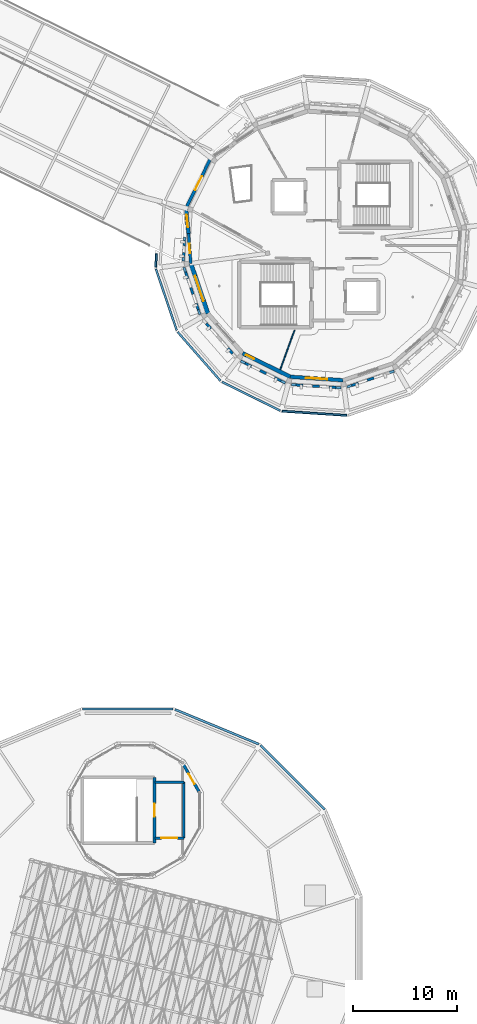
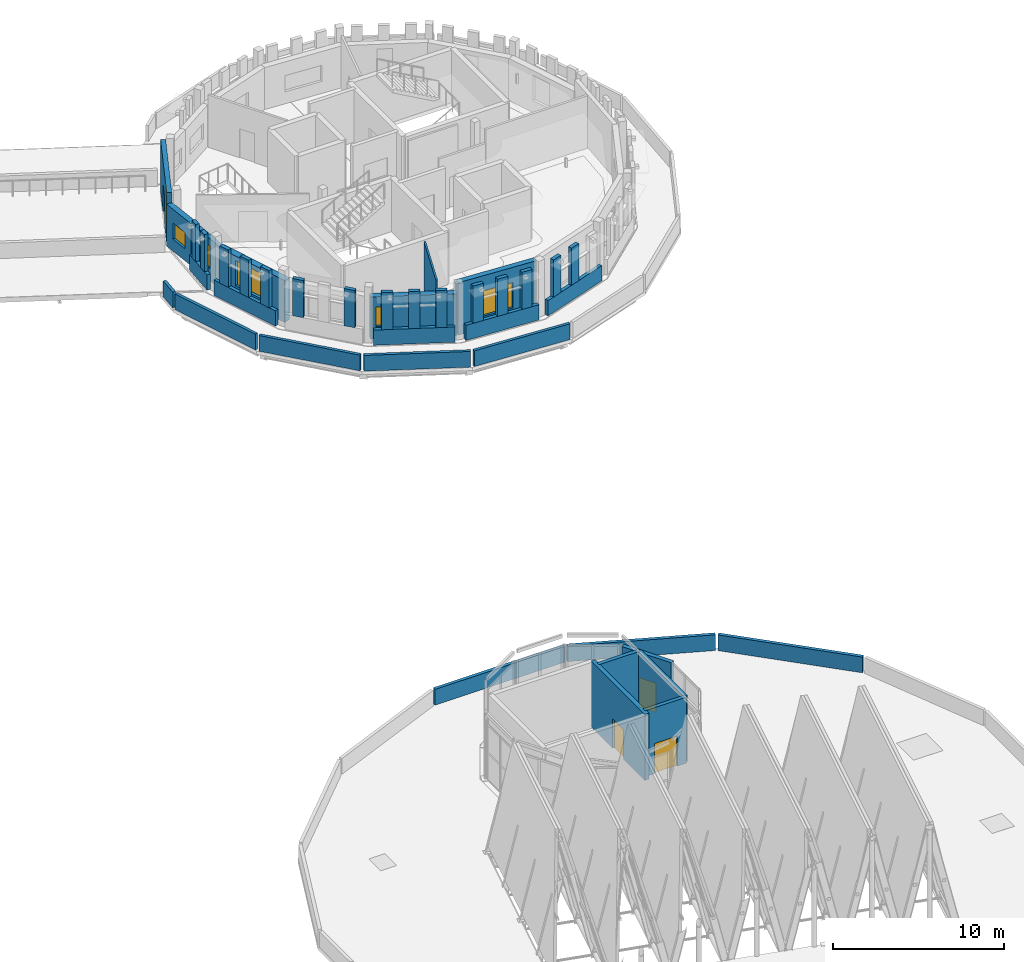
# One storey, part 42 of 51: 40 walls, 5 windows, 4 doors, 9 openings.
"""IFC4 building model written with IfcOpenShell, lengths in metres."""

import ifcopenshell
import ifcopenshell.guid

model = None  # the IFC model being written
_history = None  # IfcOwnerHistory: only IFC2X3 demands one
_inside = {}  # id of a spatial element -> (the spatial element, [elements in it])
_under = {}  # id of a project, library or spatial element -> (it, [spatial elements below it])
_declared = {}  # id of a project -> (the project, [libraries it declares])
_typed = {}  # id of a type object -> (the type object, [elements of that type])
_made_of = {}  # id of a material, layer set ... -> (it, [elements and type objects made of it])


def new_model(schema):
    """Start an empty IFC model of exactly this schema.

    Asked for "IFC4X3", IfcOpenShell would pick the latest addendum, in which some entities
    have other attributes; the version numbers below select the first issue.
    IFC2X3 requires an IfcOwnerHistory on every rooted entity: one is made here for all.
    """
    global model, _history
    if schema == "IFC4X3":
        model = ifcopenshell.file(schema_version=(4, 3, 0, 0))
    else:
        model = ifcopenshell.file(schema=schema)
    _inside.clear()
    _under.clear()
    _declared.clear()
    _typed.clear()
    _made_of.clear()
    _history = None
    if model.schema == "IFC2X3":
        org = make("IfcOrganization", Name="unknown")
        user = make(
            "IfcPersonAndOrganization",
            ThePerson=make("IfcPerson", FamilyName="unknown"),
            TheOrganization=org,
        )
        app = make(
            "IfcApplication",
            ApplicationDeveloper=org,
            Version="unknown",
            ApplicationFullName="unknown",
            ApplicationIdentifier="unknown",
        )
        _history = make(
            "IfcOwnerHistory",
            OwningUser=user,
            OwningApplication=app,
            ChangeAction="ADDED",
            CreationDate=0,
        )
    return model


def make(cls, **values):
    """One entity of the class cls with the attributes given. An attribute that is None is left unset."""
    return model.create_entity(
        cls, **{name: value for name, value in values.items() if value is not None}
    )


def rooted(cls, **values):
    """An entity with a GlobalId (a new one), such as an element, a storey or a relation."""
    return make(cls, GlobalId=ifcopenshell.guid.new(), OwnerHistory=_history, **values)


def si_unit(unit_type, name, prefix=None):
    """IfcSIUnit, for example si_unit("LENGTHUNIT", "METRE", prefix="MILLI")."""
    return make("IfcSIUnit", UnitType=unit_type, Prefix=prefix, Name=name)


def assignment(units):
    """IfcUnitAssignment: the units of a project."""
    return None if units is None else make("IfcUnitAssignment", Units=units)


def point(xyz):
    """IfcCartesianPoint."""
    return None if xyz is None else make("IfcCartesianPoint", Coordinates=xyz)


def direction(xyz):
    """IfcDirection."""
    return None if xyz is None else make("IfcDirection", DirectionRatios=xyz)


def frame(location, z_axis=None, x_axis=None):
    """IfcAxis2Placement3D, a coordinate frame: its origin and axes. An axis left out is left unset."""
    return make(
        "IfcAxis2Placement3D",
        Location=point(location),
        Axis=direction(z_axis),
        RefDirection=direction(x_axis),
    )


def frame_2d(location, x_axis=None):
    """IfcAxis2Placement2D, a coordinate frame in the plane: its origin and x axis."""
    return make(
        "IfcAxis2Placement2D", Location=point(location), RefDirection=direction(x_axis)
    )


def origin():
    """The frame at (0, 0, 0) with its axes left unset."""
    return frame((0.0, 0.0, 0.0))


def place(relative_to, where):
    """IfcLocalPlacement: puts the frame where relative to a parent placement (None: the world)."""
    return make(
        "IfcLocalPlacement", PlacementRelTo=relative_to, RelativePlacement=where
    )


def context(
    kind, dimensions, precision=None, world=None, true_north=None, identifier=None
):
    """IfcGeometricRepresentationContext, for example the 3D "Model" context."""
    return make(
        "IfcGeometricRepresentationContext",
        ContextIdentifier=identifier,
        ContextType=kind,
        CoordinateSpaceDimension=dimensions,
        Precision=precision,
        WorldCoordinateSystem=world,
        TrueNorth=true_north,
    )


def subcontext(parent, identifier, kind, view, scale=None):
    """IfcGeometricRepresentationSubContext, for example "Body" below "Model"."""
    return make(
        "IfcGeometricRepresentationSubContext",
        ContextIdentifier=identifier,
        ContextType=kind,
        ParentContext=parent,
        TargetScale=scale,
        TargetView=view,
    )


def project(units=None, contexts=None):
    """IfcProject with its units and contexts."""
    return rooted(
        "IfcProject",
        Name="project",
        RepresentationContexts=contexts,
        UnitsInContext=assignment(units),
    )


def spatial(cls, under=None, at=None, **own):
    """A site, building, storey or space (cls), placed at a placement, below another one or the project."""
    s = rooted(cls, ObjectPlacement=at, **own)
    if under is not None:
        _under.setdefault(under.id(), (under, []))[1].append(s)
    return s


def profile(cls, at=None, kind="AREA", **sizes):
    """A parametric profile (cls). Its sizes go by their IFC names, for example OverallWidth=200.0."""
    return make(cls, ProfileType=kind, Position=at, **sizes)


def rectangle(**sizes):
    """IfcRectangleProfileDef."""
    return profile("IfcRectangleProfileDef", **sizes)


def extrude(swept, where, along, depth):
    """IfcExtrudedAreaSolid: the profile swept, set in the frame where, extruded along a direction by depth."""
    return make(
        "IfcExtrudedAreaSolid",
        SweptArea=swept,
        Position=where,
        ExtrudedDirection=direction(along),
        Depth=depth,
    )


def shape(context_of_items, identifier, shape_type, items):
    """IfcShapeRepresentation: the items that make up one representation, for example the "Body"."""
    return make(
        "IfcShapeRepresentation",
        ContextOfItems=context_of_items,
        RepresentationIdentifier=identifier,
        RepresentationType=shape_type,
        Items=items,
    )


def material(Name=None, Category=None):
    """IfcMaterial."""
    return make("IfcMaterial", Name=Name, Category=Category)


def layer(
    of_material, thickness, ventilated=None, Name=None, Category=None, Priority=None
):
    """IfcMaterialLayer: one layer of a wall or slab, of a material (None: an air gap)."""
    return make(
        "IfcMaterialLayer",
        Material=of_material,
        LayerThickness=thickness,
        IsVentilated=ventilated,
        Name=Name,
        Category=Category,
        Priority=Priority,
    )


def layer_set(layers, Name=None):
    """IfcMaterialLayerSet."""
    return make("IfcMaterialLayerSet", MaterialLayers=layers, LayerSetName=Name)


def made_of(thing, what):
    """Note that an element or type object is made of a material, layer set ...; save() writes the relation."""
    if what is not None:
        _made_of.setdefault(what.id(), (what, []))[1].append(thing)
    return thing


def type_object(cls, material=None, **own):
    """A type object (cls), such as IfcWallType, which elements share."""
    return made_of(rooted(cls, **own), material)


def element(
    cls,
    number,
    at=None,
    inside=None,
    cuts=None,
    type_object=None,
    material=None,
    context=None,
    identifier="Body",
    shape_type=None,
    held_by="IfcProductDefinitionShape",
    body=None,
    shapes=None,
    **own,
):
    """One element of the class cls, such as IfcWall. Its Tag is "e" and its number.

    at: its placement. inside: the storey or other place that contains it. cuts: it is an
    opening in that element (IfcRelVoidsElement). A single representation is given by context,
    identifier, shape_type and body (its items); several are given by shapes. held_by: the class
    of the entity that holds the representations. save() writes the other relations.
    """
    e = rooted(cls, Tag="e%d" % number, ObjectPlacement=at, **own)
    if body is not None:
        shapes = [shape(context, identifier, shape_type, body)]
    if shapes is not None:
        e.Representation = make(held_by, Representations=shapes)
    if inside is not None:
        _inside.setdefault(inside.id(), (inside, []))[1].append(e)
    if cuts is not None:
        rooted(
            "IfcRelVoidsElement", RelatingBuildingElement=cuts, RelatedOpeningElement=e
        )
    if type_object is not None:
        _typed.setdefault(type_object.id(), (type_object, []))[1].append(e)
    return made_of(e, material)


def fill(opening, filler):
    """IfcRelFillsElement: the door or window that sits in an opening."""
    return rooted(
        "IfcRelFillsElement",
        RelatingOpeningElement=opening,
        RelatedBuildingElement=filler,
    )


def aggregate(whole, parts):
    """IfcRelAggregates: a whole, such as a stair, and the parts it consists of."""
    return rooted("IfcRelAggregates", RelatingObject=whole, RelatedObjects=parts)


def save(model, path):
    """Write the relations noted so far, then the file.

    IfcRelAggregates (storeys below a building ...), IfcRelContainedInSpatialStructure (elements
    in a storey), IfcRelDefinesByType, IfcRelAssociatesMaterial and IfcRelDeclares: one each for
    every whole, place, type object, material and project.
    """
    for whole, parts in _under.values():
        aggregate(whole, parts)
    for where, things in _inside.values():
        rooted(
            "IfcRelContainedInSpatialStructure",
            RelatedElements=things,
            RelatingStructure=where,
        )
    for kind, things in _typed.values():
        rooted("IfcRelDefinesByType", RelatedObjects=things, RelatingType=kind)
    for what, things in _made_of.values():
        rooted("IfcRelAssociatesMaterial", RelatedObjects=things, RelatingMaterial=what)
    for by, libraries in _declared.values():
        rooted("IfcRelDeclares", RelatingContext=by, RelatedDefinitions=libraries)
    model.write(path)


model = new_model("IFC4")

# Units and contexts
model_context = context("Model", 3, precision=1e-05, world=origin(), true_north=direction((0.0, 1.0)))
body_context = subcontext(model_context, "Body", "Model", "MODEL_VIEW")
ifc_project = project(units=[si_unit("LENGTHUNIT", "METRE"), si_unit("AREAUNIT", "SQUARE_METRE"), si_unit("VOLUMEUNIT", "CUBIC_METRE"), si_unit("PLANEANGLEUNIT", "RADIAN"), si_unit("MASSUNIT", "GRAM", prefix="KILO")], contexts=[model_context])

# Site, building, storey
site_placement = place(None, origin())
site = spatial("IfcSite", under=ifc_project, at=site_placement, CompositionType="ELEMENT")
building_placement = place(site_placement, origin())
building = spatial("IfcBuilding", under=site, at=building_placement, Name="Wrenclough Park School", CompositionType="ELEMENT")
storey_placement = place(building_placement, frame((0.0, 0.0, 16.800048828125)))
storey = spatial("IfcBuildingStorey", under=building, at=storey_placement, Name="L04", CompositionType="ELEMENT", Elevation=16.800048828125)

# Walls
ifc_material_1 = material(Name="Perforated open-bond Staffordshire and Manchester brick screen pier", Category="masonry")
ifc_layer_1 = layer(ifc_material_1, 0.2451171875)
ifc_layer_set_1 = layer_set([ifc_layer_1], Name="Perforated open-bond Staffordshire and Manchester brick screen pier")
wall_type_1 = type_object("IfcWallType", Name="ENV-BS-PR245", PredefinedType="ELEMENTEDWALL", material=ifc_layer_set_1)
for number, where, z_axis, x_axis, name in (
    (1, (160.950927734375, 93.973388671875, 1.08984375), (0.0, 0.0, 1.0), (-0.065581465319, -0.997847218469, 0.0), "D5 L04 perforated brick screen pier 0979"),
    (2, (160.87548828125, 92.823486328125, 1.08984375), (0.0, 0.0, 1.0), (-0.065079137346, -0.997880105966, 0.0), "D5 L04 perforated brick screen pier 0980"),
):
    element("IfcWall", number, at=place(storey_placement, frame(where, z_axis=z_axis, x_axis=x_axis)), inside=storey, type_object=wall_type_1, Name=name, PredefinedType="ELEMENTEDWALL", context=body_context, shape_type="SweptSolid", body=[
        extrude(rectangle(XDim=0.48388671875, YDim=0.2451171875, at=frame_2d((0.241943359375, 0.0))), origin(), (0.0, 0.0, 1.0), 2.650146484375),
    ])
for number, where, z_axis, x_axis, name in (
    (3, (161.05029296875, 90.964599609375, 1.08984375), (0.0, 0.0, 1.0), (0.321384268643, -0.946948864442, 0.0), "D5 L04 perforated brick screen pier 0981"),
    (4, (161.56103515625, 89.459716796875, 1.08984375), (0.0, 0.0, 1.0), (0.321384268643, -0.946948864442, 0.0), "D5 L04 perforated brick screen pier 0982"),
    (5, (162.07177734375, 87.954833984375, 1.08984375), (0.0, 0.0, 1.0), (0.321384268643, -0.946948864442, 0.0), "D5 L04 perforated brick screen pier 0983"),
):
    element("IfcWall", number, at=place(storey_placement, frame(where, z_axis=z_axis, x_axis=x_axis)), inside=storey, type_object=wall_type_1, Name=name, PredefinedType="ELEMENTEDWALL", context=body_context, shape_type="SweptSolid", body=[
        extrude(rectangle(XDim=0.6669921875, YDim=0.2451171875, at=frame_2d((0.33349609375, 0.0))), origin(), (0.0, 0.0, 1.0), 2.650146484375),
    ])
for number, where, z_axis, x_axis, name in (
    (6, (163.043701171875, 86.010986328125, 1.08984375), (0.0, 0.0, 1.0), (0.659358090425, -0.751829042131, 0.0), "D5 L04 perforated brick screen pier 0984"),
    (7, (165.1396484375, 83.621337890625, 1.08984375), (0.0, 0.0, 1.0), (0.659358090425, -0.751829042131, 0.0), "D5 L04 perforated brick screen pier 0986"),
    (8, (166.78173828125, 82.197021484375, 1.08984375), (0.0, 0.0, 1.0), (0.896898673202, -0.442236102109, 0.0), "D5 L04 perforated brick screen pier 0987"),
    (9, (168.20703125, 81.494140625, 1.08984375), (0.0, 0.0, 1.0), (0.896898673202, -0.442236102109, 0.0), "D5 L04 perforated brick screen pier 0988"),
    (10, (169.632568359375, 80.791015625, 1.08984375), (0.0, 0.0, 1.0), (0.896898673202, -0.442236102109, 0.0), "D5 L04 perforated brick screen pier 0989"),
):
    element("IfcWall", number, at=place(storey_placement, frame(where, z_axis=z_axis, x_axis=x_axis)), inside=storey, type_object=wall_type_1, Name=name, PredefinedType="ELEMENTEDWALL", context=body_context, shape_type="SweptSolid", body=[
        extrude(rectangle(XDim=0.66796875, YDim=0.2451171875, at=frame_2d((0.333984375, 0.0))), origin(), (0.0, 0.0, 1.0), 2.650146484375),
    ])
wall_1_placement = place(storey_placement, frame((171.694580078125, 80.103759765625, 1.08984375), z_axis=(0.0, 0.0, 1.0), x_axis=(0.997858904089, -0.065403421396, 0.0)))
element("IfcWall", 11, at=wall_1_placement, inside=storey, type_object=wall_type_1, Name="D5 L04 perforated brick screen pier 0990", PredefinedType="ELEMENTEDWALL", context=body_context, shape_type="SweptSolid", body=[
    extrude(rectangle(XDim=0.668212890625, YDim=0.2451171875, at=frame_2d((0.333984375, 0.0))), origin(), (0.0, 0.0, 1.0), 2.650146484375),
])
for number, where, z_axis, x_axis, name in (
    (12, (173.28076171875, 79.999755859375, 1.08984375), (0.0, 0.0, 1.0), (0.997881137909, -0.065063312289, 0.0), "D5 L04 perforated brick screen pier 0991"),
    (13, (174.86669921875, 79.89599609375, 1.08984375), (0.0, 0.0, 1.0), (0.997857340272, -0.065427276157, 0.0), "D5 L04 perforated brick screen pier 0992"),
):
    element("IfcWall", number, at=place(storey_placement, frame(where, z_axis=z_axis, x_axis=x_axis)), inside=storey, type_object=wall_type_1, Name=name, PredefinedType="ELEMENTEDWALL", context=body_context, shape_type="SweptSolid", body=[
        extrude(rectangle(XDim=0.66796875, YDim=0.2451171875, at=frame_2d((0.333984375, 0.0))), origin(), (0.0, 0.0, 1.0), 2.650146484375),
    ])
for number, where, z_axis, x_axis, name in (
    (14, (177.035400390625, 80.05029296875, 1.08984375), (0.0, 0.0, 1.0), (0.946948864442, 0.321384268643, 0.0), "D5 L04 perforated brick screen pier 0993"),
    (15, (178.540283203125, 80.56103515625, 1.08984375), (0.0, 0.0, 1.0), (0.946948864442, 0.321384268643, 0.0), "D5 L04 perforated brick screen pier 0994"),
):
    element("IfcWall", number, at=place(storey_placement, frame(where, z_axis=z_axis, x_axis=x_axis)), inside=storey, type_object=wall_type_1, Name=name, PredefinedType="ELEMENTEDWALL", context=body_context, shape_type="SweptSolid", body=[
        extrude(rectangle(XDim=0.6669921875, YDim=0.2451171875, at=frame_2d((0.33349609375, 0.0))), origin(), (0.0, 0.0, 1.0), 2.650146484375),
    ])
ifc_material_2 = material(Name="Open-bond Manchester multi-stock brick spandrel screen", Category="masonry")
ifc_layer_2 = layer(ifc_material_2, 0.22509765625)
ifc_layer_set_2 = layer_set([ifc_layer_2], Name="Open-bond Manchester multi-stock brick spandrel screen")
wall_type_2 = type_object("IfcWallType", Name="ENV-BS-SP225", PredefinedType="ELEMENTEDWALL", material=ifc_layer_set_2)
wall_2_placement = place(storey_placement, frame((160.972900390625, 94.306884765625, 0.0), z_axis=(0.0, 0.0, 1.0), x_axis=(-0.065464366553, -0.997854907645, 0.0)))
element("IfcWall", 16, at=wall_2_placement, inside=storey, type_object=wall_type_2, Name="D5 L04 open-bond brick screen spandrel 0272", PredefinedType="ELEMENTEDWALL", context=body_context, shape_type="SweptSolid", body=[
    extrude(rectangle(XDim=2.3046875, YDim=0.22509765625, at=frame_2d((1.15234375, 0.0))), origin(), (0.0, 0.0, 1.0), 1.08984375),
])
wall_3_placement = place(storey_placement, frame((160.902099609375, 91.4013671875, 0.0), z_axis=(0.0, 0.0, 1.0), x_axis=(0.321384907644, -0.946948647572, 0.0)))
element("IfcWall", 17, at=wall_3_placement, inside=storey, type_object=wall_type_2, Name="D5 L04 open-bond brick screen spandrel 0273", PredefinedType="ELEMENTEDWALL", context=body_context, shape_type="SweptSolid", body=[
    extrude(rectangle(XDim=4.767578125, YDim=0.22509765625, at=frame_2d((2.3837890625, 0.0))), origin(), (0.0, 0.0, 1.0), 1.08984375),
])
for number, where, z_axis, x_axis, name in (
    (18, (166.368408203125, 82.40087890625, 0.0), (0.0, 0.0, 1.0), (0.896871427047, -0.442291355722, 0.0), "D5 L04 open-bond brick screen spandrel 0275"),
    (19, (171.235107421875, 80.1337890625, 0.0), (0.0, 0.0, 1.0), (0.997859962399, -0.065387272782, 0.0), "D5 L04 open-bond brick screen spandrel 0276"),
):
    element("IfcWall", number, at=place(storey_placement, frame(where, z_axis=z_axis, x_axis=x_axis)), inside=storey, type_object=wall_type_2, Name=name, PredefinedType="ELEMENTEDWALL", context=body_context, shape_type="SweptSolid", body=[
        extrude(rectangle(XDim=4.76806640625, YDim=0.22509765625, at=frame_2d((2.384033203125, 0.0))), origin(), (0.0, 0.0, 1.0), 1.08984375),
    ])
wall_4_placement = place(storey_placement, frame((176.5986328125, 79.902099609375, 0.0), z_axis=(0.0, 0.0, 1.0), x_axis=(0.946948647572, 0.321384907644, 0.0)))
element("IfcWall", 20, at=wall_4_placement, inside=storey, type_object=wall_type_2, Name="D5 L04 open-bond brick screen spandrel 0277", PredefinedType="ELEMENTEDWALL", context=body_context, shape_type="SweptSolid", body=[
    extrude(rectangle(XDim=4.767578125, YDim=0.22509765625, at=frame_2d((2.3837890625, 0.0))), origin(), (0.0, 0.0, 1.0), 1.08984375),
])

# Wall, opening, window
ifc_material_3 = material(Name="Link wing brick-faced cavity wall Concrete C32/40", Category="masonry")
ifc_layer_3 = layer(ifc_material_3, 0.27490234375)
ifc_layer_set_3 = layer_set([ifc_layer_3], Name="Link wing brick-faced cavity wall Concrete C32/40")
wall_type_3 = type_object("IfcWallType", Name="ENV-EW-275", PredefinedType="SOLIDWALL", material=ifc_layer_set_3)
wall_5_placement = place(storey_placement, frame((161.55419921875, 91.795654296875, 0.0), z_axis=(0.0, 0.0, 1.0), x_axis=(-0.074436264821, 0.997225773072, 0.0)))
wall_5 = element("IfcWall", 21, at=wall_5_placement, inside=storey, type_object=wall_type_3, Name="L04 insulated brick external wall 0358", PredefinedType="SOLIDWALL", context=body_context, shape_type="SweptSolid", body=[
    extrude(rectangle(XDim=2.883056640625, YDim=0.27490234375, at=frame_2d((1.44140625, 0.0))), origin(), (0.0, 0.0, 1.0), 2.98193359375),
])
opening_1_placement = place(wall_5_placement, frame((0.991455078125, 0.0, 0.85009765625)))
opening_1 = element("IfcOpeningElement", 22, at=opening_1_placement, cuts=wall_5, Name="Opening WN-13", PredefinedType="OPENING", context=body_context, shape_type="SweptSolid", body=[
    extrude(rectangle(XDim=0.89990234375, YDim=1.60009765625, at=frame_2d((0.449951171875, 0.800048828125))), frame((0.0, 0.1474609375, 0.0), z_axis=(0.0, -1.0, 0.0), x_axis=(1.0, 0.0, 0.0)), (0.0, 0.0, 1.0), 0.294921875),
])
ifc_material_4 = material(Name="Thermally broken aluminium and double-glazed low-e glass", Category="aluminium")
window_type_1 = type_object("IfcWindowType", Name="ENV-WN-13", PartitioningType="SINGLE_PANEL", PredefinedType="WINDOW", material=ifc_material_4)
window_1_placement = place(opening_1_placement, origin())
window_1 = element("IfcWindow", 23, at=window_1_placement, inside=storey, type_object=window_type_1, Name="L04 scheduled facade window 0595", OverallHeight=1.60009765625, OverallWidth=0.89990234375, PartitioningType="SINGLE_PANEL", PredefinedType="WINDOW", context=body_context, shape_type="SweptSolid", body=[
    extrude(rectangle(XDim=0.89990234375, YDim=1.60009765625, at=frame_2d((0.449951171875, 0.800048828125))), frame((0.0, 0.030029296875, 0.0), z_axis=(0.0, -1.0, 0.0), x_axis=(1.0, 0.0, 0.0)), (0.0, 0.0, 1.0), 0.06005859375),
])
fill(opening_1, window_1)

# Wall, opening, door
wall_6_placement = place(storey_placement, frame((162.465087890625, 40.784912109375, 0.0), z_axis=(0.0, 0.0, 1.0), x_axis=(-0.499952654668, 0.866052736899, 0.0)))
wall_6 = element("IfcWall", 24, at=wall_6_placement, inside=storey, type_object=wall_type_3, Name="D1-SH L04 cylindrical stair-head portal wall", PredefinedType="SOLIDWALL", context=body_context, shape_type="SweptSolid", body=[
    extrude(rectangle(XDim=3.304931640625, YDim=0.27490234375, at=frame_2d((1.65234375, 0.0))), origin(), (0.0, 0.0, 1.0), 4.0),
])
opening_2_placement = place(wall_6_placement, frame((1.077392578125, 0.0, 0.0)))
opening_2 = element("IfcOpeningElement", 25, at=opening_2_placement, cuts=wall_6, Name="Opening RF-115", PredefinedType="OPENING", context=body_context, shape_type="SweptSolid", body=[
    extrude(rectangle(XDim=1.14990234375, YDim=2.10009765625, at=frame_2d((0.574951171875, 1.050048828125))), frame((0.0, 0.1474609375, 0.0), z_axis=(0.0, -1.0, 0.0), x_axis=(1.0, 0.0, 0.0)), (0.0, 0.0, 1.0), 0.294921875),
])
ifc_material_5 = material(Name="Thermally broken powder-coated aluminium and laminated safety glass", Category="aluminium")
door_type_1 = type_object("IfcDoorType", Name="DR-RF115", OperationType="NOTDEFINED", PredefinedType="DOOR", material=ifc_material_5)
door_1_placement = place(opening_2_placement, frame((1.14990234375, 0.0, 0.0), z_axis=(0.0, 0.0, 1.0), x_axis=(-1.0, 0.0, 0.0)))
door_1 = element("IfcDoor", 26, at=door_1_placement, inside=storey, type_object=door_type_1, Name="D1-SH roof maintenance access door", OperationType="SINGLE_SWING_LEFT", OverallHeight=2.10009765625, OverallWidth=1.14990234375, PredefinedType="DOOR", context=body_context, shape_type="SweptSolid", body=[
    extrude(rectangle(XDim=1.14990234375, YDim=2.10009765625, at=frame_2d((0.574951171875, 1.050048828125))), frame((0.0, 0.02490234375, 0.0), z_axis=(0.0, -1.0, 0.0), x_axis=(1.0, 0.0, 0.0)), (0.0, 0.0, 1.0), 0.050048828125),
])
fill(opening_2, door_1)

ifc_material_6 = material(Name="Manchester multi-stock brick and Concrete C32/40 inner leaf", Category="masonry")
ifc_layer_4 = layer(ifc_material_6, 0.300048828125)
ifc_layer_set_4 = layer_set([ifc_layer_4], Name="Manchester multi-stock brick and Concrete C32/40 inner leaf")
wall_type_4 = type_object("IfcWallType", Name="ENV-EW-300", PredefinedType="SOLIDWALL", material=ifc_layer_set_4)
wall_7_placement = place(storey_placement, frame((161.09521484375, 97.091796875, 0.0), z_axis=(0.0, 0.0, 1.0), x_axis=(0.442301426596, 0.896866460534, 0.0)))
wall_7 = element("IfcWall", 27, at=wall_7_placement, inside=storey, type_object=wall_type_4, Name="L04 insulated brick external wall 0360", PredefinedType="SOLIDWALL", context=body_context, shape_type="SweptSolid", body=[
    extrude(rectangle(XDim=5.414794921875, YDim=0.300048828125, at=frame_2d((2.70751953125, 0.0))), origin(), (0.0, 0.0, 1.0), 3.739990234375),
])
opening_3_placement = place(wall_7_placement, frame((1.967529296875, 0.0, 0.0)))
opening_3 = element("IfcOpeningElement", 28, at=opening_3_placement, cuts=wall_7, Name="Opening DPD-PD-4-1", PredefinedType="OPENING", context=body_context, shape_type="SweptSolid", body=[
    extrude(rectangle(XDim=1.47998046875, YDim=2.1201171875, at=frame_2d((0.739990234375, 1.06005859375))), frame((0.0, 0.159912109375, 0.0), z_axis=(0.0, -1.0, 0.0), x_axis=(1.0, 0.0, 0.0)), (0.0, 0.0, 1.0), 0.320068359375),
])
door_type_2 = type_object("IfcDoorType", Name="DR-PD148", OperationType="NOTDEFINED", PredefinedType="DOOR", material=ifc_material_5)
door_2_placement = place(opening_3_placement, origin())
door_2 = element("IfcDoor", 29, at=door_2_placement, inside=storey, type_object=door_type_2, Name="Play deck PD-4 access door 1", OperationType="DOUBLE_DOOR_SINGLE_SWING", OverallHeight=2.1201171875, OverallWidth=1.47998046875, PredefinedType="DOOR", context=body_context, shape_type="SweptSolid", body=[
    extrude(rectangle(XDim=1.47998046875, YDim=2.1201171875, at=frame_2d((0.739990234375, 1.06005859375))), frame((0.0, 0.02490234375, 0.0), z_axis=(0.0, -1.0, 0.0), x_axis=(1.0, 0.0, 0.0)), (0.0, 0.0, 1.0), 0.050048828125),
])
fill(opening_3, door_2)

# Wall, opening, window
ifc_material_7 = material(Name="Staffordshire blue-grey brick and Concrete C35/45 inner leaf", Category="masonry")
ifc_layer_5 = layer(ifc_material_7, 0.35009765625)
ifc_layer_set_5 = layer_set([ifc_layer_5], Name="Staffordshire blue-grey brick and Concrete C35/45 inner leaf")
wall_type_5 = type_object("IfcWallType", Name="ENV-EW-350", PredefinedType="SOLIDWALL", material=ifc_layer_set_5)
wall_8_placement = place(storey_placement, frame((176.204345703125, 80.55419921875, 0.0), z_axis=(0.0, 0.0, 1.0), x_axis=(-0.99786146052, 0.065364406289, 0.0)))
wall_8 = element("IfcWall", 30, at=wall_8_placement, inside=storey, type_object=wall_type_5, Name="L04 insulated brick external wall 0354", PredefinedType="SOLIDWALL", context=body_context, shape_type="SweptSolid", body=[
    extrude(rectangle(XDim=5.0947265625, YDim=0.35009765625, at=frame_2d((2.54736328125, 0.0))), origin(), (0.0, 0.0, 1.0), 3.739990234375),
])
opening_4_placement = place(wall_8_placement, frame((1.5224609375, 0.0, 0.85009765625)))
opening_4 = element("IfcOpeningElement", 31, at=opening_4_placement, cuts=wall_8, Name="Opening WN-32", PredefinedType="OPENING", context=body_context, shape_type="SweptSolid", body=[
    extrude(rectangle(XDim=2.050048828125, YDim=1.800048828125, at=frame_2d((1.02490234375, 0.89990234375))), frame((0.0, 0.18505859375, 0.0), z_axis=(0.0, -1.0, 0.0), x_axis=(1.0, 0.0, 0.0)), (0.0, 0.0, 1.0), 0.3701171875),
])
window_type_2 = type_object("IfcWindowType", Name="ENV-WN-32", PartitioningType="DOUBLE_PANEL_VERTICAL", PredefinedType="WINDOW", material=ifc_material_4)
window_2_placement = place(opening_4_placement, origin())
window_2 = element("IfcWindow", 32, at=window_2_placement, inside=storey, type_object=window_type_2, Name="L04 scheduled facade window 0591", OverallHeight=1.800048828125, OverallWidth=2.050048828125, PartitioningType="SINGLE_PANEL", PredefinedType="WINDOW", context=body_context, shape_type="SweptSolid", body=[
    extrude(rectangle(XDim=2.050048828125, YDim=1.800048828125, at=frame_2d((1.02490234375, 0.89990234375))), frame((0.0, 0.030029296875, 0.0), z_axis=(0.0, -1.0, 0.0), x_axis=(1.0, 0.0, 0.0)), (0.0, 0.0, 1.0), 0.06005859375),
])
fill(opening_4, window_2)

ifc_material_8 = material(Name="Faceted courtyard brick-cavity wall Concrete C35/45", Category="masonry")
ifc_layer_6 = layer(ifc_material_8, 0.364990234375)
ifc_layer_set_6 = layer_set([ifc_layer_6], Name="Faceted courtyard brick-cavity wall Concrete C35/45")
wall_type_6 = type_object("IfcWallType", Name="ENV-EW-365", PredefinedType="SOLIDWALL", material=ifc_layer_set_6)
wall_9_placement = place(storey_placement, frame((161.339599609375, 94.670654296875, 0.0), z_axis=(0.0, 0.0, 1.0), x_axis=(-0.10042748062, 0.994944380926, 0.0)))
wall_9 = element("IfcWall", 33, at=wall_9_placement, inside=storey, type_object=wall_type_6, Name="L04 insulated brick external wall 0359", PredefinedType="SOLIDWALL", context=body_context, shape_type="SweptSolid", body=[
    extrude(rectangle(XDim=2.433349609375, YDim=0.364990234375, at=frame_2d((1.216796875, 0.0))), origin(), (0.0, 0.0, 1.0), 2.98193359375),
])
opening_5_placement = place(wall_9_placement, frame((0.61669921875, 0.0, 0.85009765625)))
opening_5 = element("IfcOpeningElement", 34, at=opening_5_placement, cuts=wall_9, Name="Opening WN-37", PredefinedType="OPENING", context=body_context, shape_type="SweptSolid", body=[
    extrude(rectangle(XDim=1.199951171875, YDim=1.14990234375, at=frame_2d((0.60009765625, 0.574951171875))), frame((0.0, 0.1923828125, 0.0), z_axis=(0.0, -1.0, 0.0), x_axis=(1.0, 0.0, 0.0)), (0.0, 0.0, 1.0), 0.385009765625),
])
window_type_3 = type_object("IfcWindowType", Name="ENV-WN-37", PartitioningType="SINGLE_PANEL", PredefinedType="WINDOW", material=ifc_material_4)
window_3_placement = place(opening_5_placement, origin())
window_3 = element("IfcWindow", 35, at=window_3_placement, inside=storey, type_object=window_type_3, Name="L04 scheduled facade window 0596", OverallHeight=1.14990234375, OverallWidth=1.199951171875, PartitioningType="SINGLE_PANEL", PredefinedType="WINDOW", context=body_context, shape_type="SweptSolid", body=[
    extrude(rectangle(XDim=1.199951171875, YDim=1.14990234375, at=frame_2d((0.60009765625, 0.574951171875))), frame((0.0, 0.030029296875, 0.0), z_axis=(0.0, -1.0, 0.0), x_axis=(1.0, 0.0, 0.0)), (0.0, 0.0, 1.0), 0.06005859375),
])
fill(opening_5, window_3)

ifc_material_9 = material(Name="Manchester multi-stock brick and Concrete C35/45 inner leaf", Category="masonry")
ifc_layer_7 = layer(ifc_material_9, 0.3798828125)
ifc_layer_set_7 = layer_set([ifc_layer_7], Name="Manchester multi-stock brick and Concrete C35/45 inner leaf")
wall_type_7 = type_object("IfcWallType", Name="ENV-EW-380", PredefinedType="SOLIDWALL", material=ifc_layer_set_7)
wall_10_placement = place(storey_placement, frame((171.12060546875, 80.88720703125, 0.0), z_axis=(0.0, 0.0, 1.0), x_axis=(-0.896885971635, 0.442261861213, 0.0)))
wall_10 = element("IfcWall", 36, at=wall_10_placement, inside=storey, type_object=wall_type_7, Name="L04 insulated brick external wall 0355", PredefinedType="SOLIDWALL", context=body_context, shape_type="SweptSolid", body=[
    extrude(rectangle(XDim=5.09521484375, YDim=0.3798828125, at=frame_2d((2.547607421875, 0.0))), origin(), (0.0, 0.0, 1.0), 2.98193359375),
])
opening_6_placement = place(wall_10_placement, frame((3.89501953125, 0.0, 0.85009765625)))
opening_6 = element("IfcOpeningElement", 37, at=opening_6_placement, cuts=wall_10, Name="Opening WN-01", PredefinedType="OPENING", context=body_context, shape_type="SweptSolid", body=[
    extrude(rectangle(XDim=0.85009765625, YDim=1.39990234375, at=frame_2d((0.425048828125, 0.699951171875))), frame((0.0, 0.199951171875, 0.0), z_axis=(0.0, -1.0, 0.0), x_axis=(1.0, 0.0, 0.0)), (0.0, 0.0, 1.0), 0.39990234375),
])
window_type_4 = type_object("IfcWindowType", Name="ENV-WN-01", PartitioningType="SINGLE_PANEL", PredefinedType="WINDOW", material=ifc_material_4)
window_4_placement = place(opening_6_placement, origin())
window_4 = element("IfcWindow", 38, at=window_4_placement, inside=storey, type_object=window_type_4, Name="L04 scheduled facade window 0592", OverallHeight=1.39990234375, OverallWidth=0.85009765625, PartitioningType="SINGLE_PANEL", PredefinedType="WINDOW", context=body_context, shape_type="SweptSolid", body=[
    extrude(rectangle(XDim=0.85009765625, YDim=1.39990234375, at=frame_2d((0.425048828125, 0.699951171875))), frame((0.0, 0.030029296875, 0.0), z_axis=(0.0, -1.0, 0.0), x_axis=(1.0, 0.0, 0.0)), (0.0, 0.0, 1.0), 0.06005859375),
])
fill(opening_6, window_4)

ifc_material_10 = material(Name="Insulated brick-clad sports hall wall Concrete C40/50", Category="masonry")
ifc_layer_8 = layer(ifc_material_10, 0.425048828125)
ifc_layer_set_8 = layer_set([ifc_layer_8], Name="Insulated brick-clad sports hall wall Concrete C40/50")
wall_type_8 = type_object("IfcWallType", Name="ENV-EW-425", PredefinedType="SOLIDWALL", material=ifc_layer_set_8)
wall_11_placement = place(storey_placement, frame((163.191650390625, 86.97119140625, 0.0), z_axis=(0.0, 0.0, 1.0), x_axis=(-0.321398403796, 0.946944067006, 0.0)))
wall_11 = element("IfcWall", 39, at=wall_11_placement, inside=storey, type_object=wall_type_8, Name="L04 insulated brick external wall 0357", PredefinedType="SOLIDWALL", context=body_context, shape_type="SweptSolid", body=[
    extrude(rectangle(XDim=5.0947265625, YDim=0.425048828125, at=frame_2d((2.54736328125, 0.0))), origin(), (0.0, 0.0, 1.0), 2.98193359375),
])
opening_7_placement = place(wall_11_placement, frame((1.2724609375, 0.0, 0.85009765625)))
opening_7 = element("IfcOpeningElement", 40, at=opening_7_placement, cuts=wall_11, Name="Opening WN-35", PredefinedType="OPENING", context=body_context, shape_type="SweptSolid", body=[
    extrude(rectangle(XDim=2.550048828125, YDim=1.800048828125, at=frame_2d((1.27490234375, 0.89990234375))), frame((0.0, 0.222412109375, 0.0), z_axis=(0.0, -1.0, 0.0), x_axis=(1.0, 0.0, 0.0)), (0.0, 0.0, 1.0), 0.445068359375),
])
window_type_5 = type_object("IfcWindowType", Name="ENV-WN-35", PartitioningType="DOUBLE_PANEL_VERTICAL", PredefinedType="WINDOW", material=ifc_material_4)
window_5_placement = place(opening_7_placement, origin())
window_5 = element("IfcWindow", 41, at=window_5_placement, inside=storey, type_object=window_type_5, Name="L04 scheduled facade window 0594", OverallHeight=1.800048828125, OverallWidth=2.550048828125, PartitioningType="SINGLE_PANEL", PredefinedType="WINDOW", context=body_context, shape_type="SweptSolid", body=[
    extrude(rectangle(XDim=2.550048828125, YDim=1.800048828125, at=frame_2d((1.27490234375, 0.89990234375))), frame((0.0, 0.030029296875, 0.0), z_axis=(0.0, -1.0, 0.0), x_axis=(1.0, 0.0, 0.0)), (0.0, 0.0, 1.0), 0.06005859375),
])
fill(opening_7, window_5)

# Walls
ifc_material_11 = material(Name="Patinated copper-coped link roof parapet", Category="masonry")
ifc_layer_9 = layer(ifc_material_11, 0.18994140625)
ifc_layer_set_9 = layer_set([ifc_layer_9], Name="Patinated copper-coped link roof parapet")
wall_type_9 = type_object("IfcWallType", Name="ENV-PW-190", PredefinedType="PARAPET", material=ifc_layer_set_9)
wall_12_placement = place(storey_placement, frame((158.25732421875, 92.708984375, 0.0), z_axis=(0.0, 0.0, 1.0), x_axis=(-0.065329434433, -0.997863750718, 0.0)))
element("IfcWall", 42, at=wall_12_placement, inside=storey, type_object=wall_type_9, Name="D5-STEP-ROOF cylindrical drum parapet wall 055", PredefinedType="PARAPET", context=body_context, shape_type="SweptSolid", body=[
    extrude(rectangle(XDim=1.266845703125, YDim=0.18994140625, at=frame_2d((0.63330078125, 0.0))), origin(), (0.0, 0.0, 1.0), 1.119873046875),
])
for number, where, z_axis, x_axis, name in (
    (43, (158.198974609375, 91.259765625, 0.0), (0.0, 0.0, 1.0), (0.321448662143, -0.946927007539, 0.0), "D5-STEP-ROOF cylindrical drum parapet wall 056"),
    (44, (160.297119140625, 85.192138671875, 0.0), (0.0, 0.0, 1.0), (0.659343891738, -0.751841494218, 0.0), "D5-STEP-ROOF cylindrical drum parapet wall 057"),
    (45, (164.5576171875, 80.389404296875, 0.0), (0.0, 0.0, 1.0), (0.896871934116, -0.442290327495, 0.0), "D5-STEP-ROOF cylindrical drum parapet wall 058"),
    (46, (170.33154296875, 77.58251953125, 0.0), (0.0, 0.0, 1.0), (0.997858499027, -0.065409601125, 0.0), "D5-STEP-ROOF cylindrical drum parapet wall 059"),
):
    element("IfcWall", number, at=place(storey_placement, frame(where, z_axis=z_axis, x_axis=x_axis)), inside=storey, type_object=wall_type_9, Name=name, PredefinedType="PARAPET", context=body_context, shape_type="SweptSolid", body=[
        extrude(rectangle(XDim=6.237060546875, YDim=0.18994140625, at=frame_2d((3.11865234375, 0.0))), origin(), (0.0, 0.0, 1.0), 1.119873046875),
    ])
ifc_material_12 = material(Name="Capped Staffordshire blue-grey brick parapet", Category="masonry")
ifc_layer_10 = layer(ifc_material_12, 0.215087890625)
ifc_layer_set_10 = layer_set([ifc_layer_10], Name="Capped Staffordshire blue-grey brick parapet")
wall_type_10 = type_object("IfcWallType", Name="ENV-PW-215", PredefinedType="PARAPET", material=ifc_layer_set_10)
wall_13_placement = place(storey_placement, frame((174.441650390625, 39.265625, 0.0), z_axis=(0.0, 0.0, 1.0), x_axis=(-0.707106781187, 0.707106781187, 0.0)))
element("IfcWall", 47, at=wall_13_placement, inside=storey, type_object=wall_type_10, Name="D1-ROOF-RING cylindrical drum parapet wall 002", PredefinedType="PARAPET", context=body_context, shape_type="SweptSolid", body=[
    extrude(rectangle(XDim=8.734130859375, YDim=0.215087890625, at=frame_2d((4.3671875, 0.0))), origin(), (0.0, 0.0, 1.0), 1.119873046875),
])
wall_14_placement = place(storey_placement, frame((168.114501953125, 45.542724609375, 0.0), z_axis=(0.0, 0.0, 1.0), x_axis=(-0.923881236817, 0.382679317782, 0.0)))
element("IfcWall", 48, at=wall_14_placement, inside=storey, type_object=wall_type_10, Name="D1-ROOF-RING cylindrical drum parapet wall 003", PredefinedType="PARAPET", context=body_context, shape_type="SweptSolid", body=[
    extrude(rectangle(XDim=8.73388671875, YDim=0.215087890625, at=frame_2d((4.366943359375, 0.0))), origin(), (0.0, 0.0, 1.0), 1.119873046875),
])
wall_15_placement = place(storey_placement, frame((159.8671875, 48.920654296875, 0.0), z_axis=(0.0, 0.0, 1.0), x_axis=(-1.0, 0.0, 0.0)))
element("IfcWall", 49, at=wall_15_placement, inside=storey, type_object=wall_type_10, Name="D1-ROOF-RING cylindrical drum parapet wall 004", PredefinedType="PARAPET", context=body_context, shape_type="SweptSolid", body=[
    extrude(rectangle(XDim=8.734375, YDim=0.215087890625, at=frame_2d((4.3671875, 0.0))), origin(), (0.0, 0.0, 1.0), 1.119873046875),
])

# Wall, opening, door
ifc_material_13 = material(Name="Concrete C35/45", Category="concrete")
ifc_layer_11 = layer(ifc_material_13, 0.25)
ifc_layer_set_11 = layer_set([ifc_layer_11], Name="Concrete C35/45")
wall_type_11 = type_object("IfcWallType", Name="INT-CW-250", PredefinedType="SHEAR", material=ifc_layer_set_11)
wall_16_placement = place(storey_placement, frame((158.10009765625, 36.5, 0.0), z_axis=(0.0, 0.0, 1.0), x_axis=(1.0, 0.0, 0.0)))
wall_16 = element("IfcWall", 50, at=wall_16_placement, inside=storey, type_object=wall_type_11, Name="Core C1 L04 lobby fire wall south", PredefinedType="SHEAR", context=body_context, shape_type="SweptSolid", body=[
    extrude(rectangle(XDim=2.7998046875, YDim=0.25, at=frame_2d((1.39990234375, 0.0))), origin(), (0.0, 0.0, 1.0), 4.699951171875),
])
opening_8_placement = place(wall_16_placement, frame((0.625, 0.0, 0.0)))
opening_8 = element("IfcOpeningElement", 51, at=opening_8_placement, cuts=wall_16, Name="Opening DLB-C1-L04", PredefinedType="OPENING", context=body_context, shape_type="SweptSolid", body=[
    extrude(rectangle(XDim=1.550048828125, YDim=2.14990234375, at=frame_2d((0.77490234375, 1.074951171875))), frame((0.0, 0.135009765625, 0.0), z_axis=(0.0, -1.0, 0.0), x_axis=(1.0, 0.0, 0.0)), (0.0, 0.0, 1.0), 0.27001953125),
])
ifc_material_14 = material(Name="Protected stair lobby double fire door assembly", Category="wood")
door_type_3 = type_object("IfcDoorType", Name="INT-DR-LB155", OperationType="NOTDEFINED", PredefinedType="DOOR", material=ifc_material_14)
door_3_placement = place(opening_8_placement, origin())
door_3 = element("IfcDoor", 52, at=door_3_placement, inside=storey, type_object=door_type_3, Name="Core C1 L04 protected lobby fire door", OperationType="DOUBLE_DOOR_SINGLE_SWING", OverallHeight=2.14990234375, OverallWidth=1.550048828125, PredefinedType="DOOR", context=body_context, shape_type="SweptSolid", body=[
    extrude(rectangle(XDim=1.550048828125, YDim=2.14990234375, at=frame_2d((0.77490234375, 1.074951171875))), frame((0.0, 0.02490234375, 0.0), z_axis=(0.0, -1.0, 0.0), x_axis=(1.0, 0.0, 0.0)), (0.0, 0.0, 1.0), 0.050048828125),
])
fill(opening_8, door_3)

# Walls
wall_17_placement = place(storey_placement, frame((160.89990234375, 36.5, 0.0), z_axis=(0.0, 0.0, 1.0), x_axis=(0.0, 1.0, 0.0)))
element("IfcWall", 53, at=wall_17_placement, inside=storey, type_object=wall_type_11, Name="Core C1 L04 lobby fire wall east", PredefinedType="SHEAR", context=body_context, shape_type="SweptSolid", body=[
    extrude(rectangle(XDim=5.39990234375, YDim=0.25, at=frame_2d((2.699951171875, 0.0))), origin(), (0.0, 0.0, 1.0), 4.699951171875),
])
wall_18_placement = place(storey_placement, frame((160.89990234375, 41.89990234375, 0.0), z_axis=(0.0, 0.0, 1.0), x_axis=(-1.0, 0.0, 0.0)))
element("IfcWall", 54, at=wall_18_placement, inside=storey, type_object=wall_type_11, Name="Core C1 L04 lobby fire wall north", PredefinedType="SHEAR", context=body_context, shape_type="SweptSolid", body=[
    extrude(rectangle(XDim=2.7998046875, YDim=0.25, at=frame_2d((1.39990234375, 0.0))), origin(), (0.0, 0.0, 1.0), 4.699951171875),
])

# Wall, opening, door
ifc_material_15 = material(Name="Concrete C40/50", Category="concrete")
ifc_layer_12 = layer(ifc_material_15, 0.2900390625)
ifc_layer_set_12 = layer_set([ifc_layer_12], Name="Concrete C40/50")
wall_type_12 = type_object("IfcWallType", Name="INT-CW-290", PredefinedType="SHEAR", material=ifc_layer_set_12)
wall_19_placement = place(storey_placement, frame((158.044921875, 36.054931640625, 0.0), z_axis=(0.0, 0.0, 1.0), x_axis=(0.0, 1.0, 0.0)))
wall_19 = element("IfcWall", 55, at=wall_19_placement, inside=storey, type_object=wall_type_12, Name="Core C1 L04 east shear wall", PredefinedType="SHEAR", context=body_context, shape_type="SweptSolid", body=[
    extrude(rectangle(XDim=6.2900390625, YDim=0.2900390625, at=frame_2d((3.14501953125, 0.0))), origin(), (0.0, 0.0, 1.0), 4.699951171875),
])
opening_9_placement = place(wall_19_placement, frame((2.52001953125, 0.0, 0.0)))
opening_9 = element("IfcOpeningElement", 56, at=opening_9_placement, cuts=wall_19, Name="Opening DST-C1-L04", PredefinedType="OPENING", context=body_context, shape_type="SweptSolid", body=[
    extrude(rectangle(XDim=1.25, YDim=2.10009765625, at=frame_2d((0.625, 1.050048828125))), frame((0.0, 0.155029296875, 0.0), z_axis=(0.0, -1.0, 0.0), x_axis=(1.0, 0.0, 0.0)), (0.0, 0.0, 1.0), 0.31005859375),
])
ifc_material_16 = material(Name="Wide protected escape stair fire door assembly", Category="wood")
door_type_4 = type_object("IfcDoorType", Name="INT-DR-ST125", OperationType="NOTDEFINED", PredefinedType="DOOR", material=ifc_material_16)
door_4_placement = place(opening_9_placement, origin())
door_4 = element("IfcDoor", 57, at=door_4_placement, inside=storey, type_object=door_type_4, Name="Stair ST-01 L04 fire door", OperationType="SINGLE_SWING_LEFT", OverallHeight=2.10009765625, OverallWidth=1.25, PredefinedType="DOOR", context=body_context, shape_type="SweptSolid", body=[
    extrude(rectangle(XDim=1.25, YDim=2.10009765625, at=frame_2d((0.625, 1.050048828125))), frame((0.0, 0.02490234375, 0.0), z_axis=(0.0, -1.0, 0.0), x_axis=(1.0, 0.0, 0.0)), (0.0, 0.0, 1.0), 0.050048828125),
])
fill(opening_9, door_4)

# Wall
ifc_material_17 = material(Name="Lightweight fire-rated store partition", Category="gypsum")
ifc_layer_13 = layer(ifc_material_17, 0.110107421875)
ifc_layer_set_13 = layer_set([ifc_layer_13], Name="Lightweight fire-rated store partition")
wall_type_13 = type_object("IfcWallType", Name="INT-PW-110", PredefinedType="PARTITIONING", material=ifc_layer_set_13)
wall_20_placement = place(storey_placement, frame((170.16748046875, 81.5966796875, 0.0), z_axis=(0.0, 0.0, 1.0), x_axis=(0.342026563954, 0.939690283843, 0.0)))
element("IfcWall", 58, at=wall_20_placement, inside=storey, type_object=wall_type_13, Name="L04 internal partition 0504", PredefinedType="PARTITIONING", context=body_context, shape_type="SweptSolid", body=[
    extrude(rectangle(XDim=4.01025390625, YDim=0.110107421875, at=frame_2d((2.005126953125, 0.0))), origin(), (0.0, 0.0, 1.0), 3.72998046875),
])

save(model, "model.ifc")
